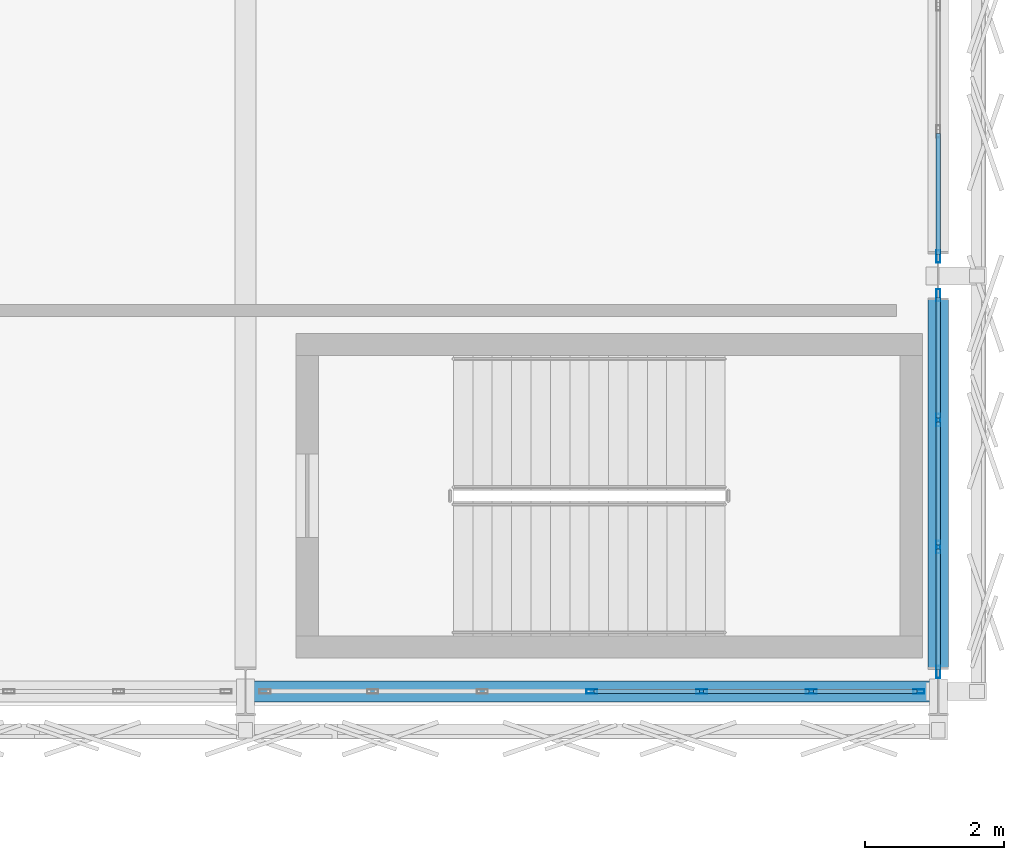
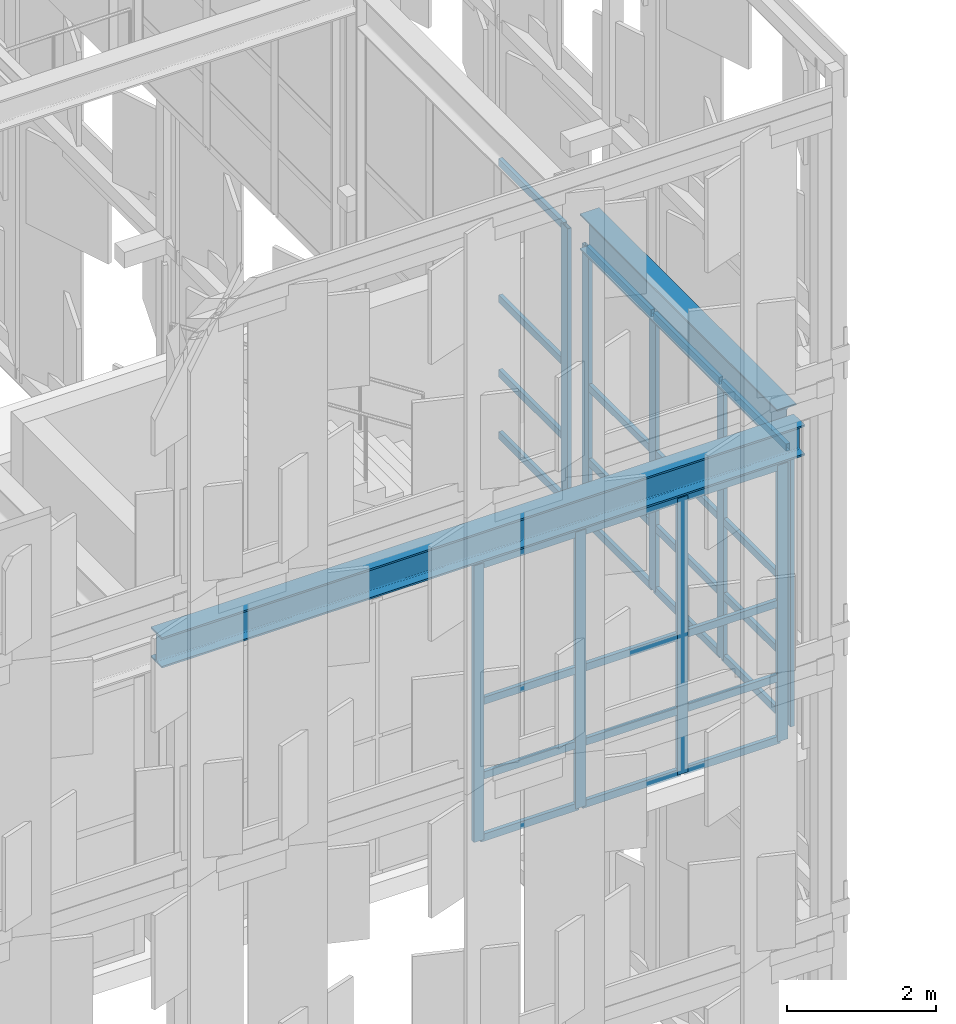
# One storey, part 163 of 239: 37 members, 2 beams, 3 elements without a shape of their own.
"""IFC4 building model written with IfcOpenShell, lengths in metres."""

from ifc_helpers import new_model, si_unit, direction, frame, origin, origin_2d, place, context, subcontext, project, spatial, hollow_rectangle, i_section, extrude, material, material_profile, profile_set, type_object, element, aggregate, save


model = new_model("IFC4")

# Units and contexts
model_context = context("Model", 3, precision=1e-05, world=origin(), true_north=direction((0.0, 1.0)))
body_context = subcontext(model_context, "Body", "Model", "MODEL_VIEW")
ifc_project = project(units=[si_unit("LENGTHUNIT", "METRE"), si_unit("AREAUNIT", "SQUARE_METRE"), si_unit("VOLUMEUNIT", "CUBIC_METRE"), si_unit("PLANEANGLEUNIT", "RADIAN"), si_unit("MASSUNIT", "GRAM", prefix="KILO")], contexts=[model_context])

# Site, building, storey
site_placement = place(None, origin())
site = spatial("IfcSite", under=ifc_project, at=site_placement, CompositionType="ELEMENT")
building_placement = place(site_placement, origin())
building = spatial("IfcBuilding", under=site, at=building_placement, Name="Kaldris Quays Convention Centre", CompositionType="ELEMENT")
storey_placement = place(building_placement, frame((0.0, 0.0, 11.39990234375)))
storey = spatial("IfcBuildingStorey", under=building, at=storey_placement, Name="L02", CompositionType="ELEMENT", Elevation=11.39990234375)

# Curtain wall, members
ifc_material_1 = material(Name="Anodized aluminium AW-6060 and triple glazing", Category="aluminium")
curtain_wall_type_1 = type_object("IfcCurtainWallType", Name="UNITISED CURTAIN WALL CW01", PredefinedType="NOTDEFINED", material=ifc_material_1)
curtain_wall_1_placement = place(storey_placement, origin())
curtain_wall_1 = element("IfcCurtainWall", 1, at=curtain_wall_1_placement, inside=storey, type_object=curtain_wall_type_1, Name="L02 Unitised Curtain Wall CW01 32", PredefinedType="NOTDEFINED")
ifc_material_2 = material(Name="Anodized aluminium AW-6060", Category="aluminium")
ifc_material_profile_1 = material_profile(ifc_material_2, hollow_rectangle(XDim=0.06005859375, YDim=0.159912109375, WallThickness=0.00390625, at=origin_2d()), Name="RHS 160x60x4")
ifc_profile_set_1 = profile_set([ifc_material_profile_1], Name="Anodized aluminium AW-6060")
member_type_1 = type_object("IfcMemberType", Name="CURTAIN MULLION CWM1", PredefinedType="MULLION", material=ifc_profile_set_1)
member_1_placement = place(storey_placement, frame((199.0, 56.0, 0.0), z_axis=(0.0, 0.0, 1.0), x_axis=(0.0, 1.0, 0.0)))
member_1 = element("IfcMember", 2, at=member_1_placement, type_object=member_type_1, Name="CW01 mullion 4", PredefinedType="MULLION", context=body_context, shape_type="SweptSolid", body=[
    extrude(hollow_rectangle(XDim=0.06005859375, YDim=0.159912109375, WallThickness=0.00390625, at=origin_2d()), origin(), (0.0, 0.0, 1.0), 4.548095703125),
])
member_2_placement = place(storey_placement, frame((200.583251953125, 56.0, 0.0), z_axis=(0.0, 0.0, 1.0), x_axis=(0.0, 1.0, 0.0)))
member_2 = element("IfcMember", 3, at=member_2_placement, type_object=member_type_1, Name="CW01 mullion 5", PredefinedType="MULLION", context=body_context, shape_type="SweptSolid", body=[
    extrude(hollow_rectangle(XDim=0.06005859375, YDim=0.159912109375, WallThickness=0.00390625, at=origin_2d()), origin(), (0.0, 0.0, 1.0), 4.548095703125),
])
member_3_placement = place(storey_placement, frame((202.166748046875, 56.0, 0.0), z_axis=(0.0, 0.0, 1.0), x_axis=(0.0, 1.0, 0.0)))
member_3 = element("IfcMember", 4, at=member_3_placement, type_object=member_type_1, Name="CW01 mullion 6", PredefinedType="MULLION", context=body_context, shape_type="SweptSolid", body=[
    extrude(hollow_rectangle(XDim=0.06005859375, YDim=0.159912109375, WallThickness=0.00390625, at=origin_2d()), origin(), (0.0, 0.0, 1.0), 4.548095703125),
])
member_4_placement = place(storey_placement, frame((203.719970703125, 56.0, 0.0), z_axis=(0.0, 0.0, 1.0), x_axis=(0.0, 1.0, 0.0)))
member_4 = element("IfcMember", 5, at=member_4_placement, type_object=member_type_1, Name="CW01 mullion 7", PredefinedType="MULLION", context=body_context, shape_type="SweptSolid", body=[
    extrude(hollow_rectangle(XDim=0.06005859375, YDim=0.159912109375, WallThickness=0.00390625, at=origin_2d()), origin(), (0.0, 0.0, 1.0), 4.548095703125),
])

curtain_wall_type_2 = type_object("IfcCurtainWallType", Name="UNITISED CURTAIN WALL CW02", PredefinedType="NOTDEFINED", material=ifc_material_1)
curtain_wall_2_placement = place(storey_placement, origin())
curtain_wall_2 = element("IfcCurtainWall", 6, at=curtain_wall_2_placement, inside=storey, type_object=curtain_wall_type_2, Name="L02 Unitised Curtain Wall CW02 33", PredefinedType="NOTDEFINED")
ifc_material_profile_2 = material_profile(ifc_material_2, hollow_rectangle(XDim=0.06005859375, YDim=0.179931640625, WallThickness=0.0048828125, at=origin_2d()), Name="RHS 180x60x5")
ifc_profile_set_2 = profile_set([ifc_material_profile_2], Name="Anodized aluminium AW-6060")
member_type_2 = type_object("IfcMemberType", Name="CURTAIN MULLION CWM2", PredefinedType="MULLION", material=ifc_profile_set_2)
member_5_placement = place(storey_placement, frame((204.0, 56.280029296875, 0.0), z_axis=(0.0, 0.0, 1.0), x_axis=(-1.0, 0.0, 0.0)))
member_5 = element("IfcMember", 7, at=member_5_placement, type_object=member_type_2, Name="CW02 mullion 1", PredefinedType="MULLION", context=body_context, shape_type="SweptSolid", body=[
    extrude(hollow_rectangle(XDim=0.06005859375, YDim=0.179931640625, WallThickness=0.0048828125, at=origin_2d()), origin(), (0.0, 0.0, 1.0), 4.548095703125),
])
member_6_placement = place(storey_placement, frame((204.0, 58.083251953125, 0.0), z_axis=(0.0, 0.0, 1.0), x_axis=(-1.0, 0.0, 0.0)))
member_6 = element("IfcMember", 8, at=member_6_placement, type_object=member_type_2, Name="CW02 mullion 2", PredefinedType="MULLION", context=body_context, shape_type="SweptSolid", body=[
    extrude(hollow_rectangle(XDim=0.06005859375, YDim=0.179931640625, WallThickness=0.0048828125, at=origin_2d()), origin(), (0.0, 0.0, 1.0), 4.548095703125),
])
member_7_placement = place(storey_placement, frame((204.0, 59.916748046875, 0.0), z_axis=(0.0, 0.0, 1.0), x_axis=(-1.0, 0.0, 0.0)))
member_7 = element("IfcMember", 9, at=member_7_placement, type_object=member_type_2, Name="CW02 mullion 3", PredefinedType="MULLION", context=body_context, shape_type="SweptSolid", body=[
    extrude(hollow_rectangle(XDim=0.06005859375, YDim=0.179931640625, WallThickness=0.0048828125, at=origin_2d()), origin(), (0.0, 0.0, 1.0), 4.548095703125),
])
member_8_placement = place(storey_placement, frame((204.0, 61.719970703125, 0.0), z_axis=(0.0, 0.0, 1.0), x_axis=(-1.0, 0.0, 0.0)))
member_8 = element("IfcMember", 10, at=member_8_placement, type_object=member_type_2, Name="CW02 mullion 4", PredefinedType="MULLION", context=body_context, shape_type="SweptSolid", body=[
    extrude(hollow_rectangle(XDim=0.06005859375, YDim=0.179931640625, WallThickness=0.0048828125, at=origin_2d()), origin(), (0.0, 0.0, 1.0), 4.548095703125),
])

# Curtain wall, member
curtain_wall_3_placement = place(storey_placement, origin())
curtain_wall_3 = element("IfcCurtainWall", 11, at=curtain_wall_3_placement, inside=storey, type_object=curtain_wall_type_2, Name="L02 Unitised Curtain Wall CW02 34", PredefinedType="NOTDEFINED")
member_9_placement = place(storey_placement, frame((204.0, 62.280029296875, 0.0), z_axis=(0.0, 0.0, 1.0), x_axis=(-1.0, 0.0, 0.0)))
member_9 = element("IfcMember", 12, at=member_9_placement, type_object=member_type_2, Name="CW02 mullion 1", PredefinedType="MULLION", context=body_context, shape_type="SweptSolid", body=[
    extrude(hollow_rectangle(XDim=0.06005859375, YDim=0.179931640625, WallThickness=0.0048828125, at=origin_2d()), origin(), (0.0, 0.0, 1.0), 4.548095703125),
])

# Member
ifc_material_profile_3 = material_profile(ifc_material_2, hollow_rectangle(XDim=0.06005859375, YDim=0.1201171875, WallThickness=0.00390625, at=origin_2d()), Name="RHS 120x60x4")
ifc_profile_set_3 = profile_set([ifc_material_profile_3], Name="Anodized aluminium AW-6060")
member_type_3 = type_object("IfcMemberType", Name="CURTAIN TRANSOM CWT1", PredefinedType="USERDEFINED", material=ifc_profile_set_3)
member_10_placement = place(storey_placement, frame((199.030029296875, 56.0, 0.030029296875), z_axis=(1.0, 0.0, 0.0), x_axis=(0.0, 1.0, 0.0)))
member_10 = element("IfcMember", 13, at=member_10_placement, type_object=member_type_3, Name="CW01 transom 4.1", ObjectType="TRANSOM", PredefinedType="USERDEFINED", context=body_context, shape_type="SweptSolid", body=[
    extrude(hollow_rectangle(XDim=0.06005859375, YDim=0.1201171875, WallThickness=0.00390625, at=origin_2d()), origin(), (0.0, 0.0, 1.0), 1.523193359375),
])

member_11_placement = place(storey_placement, frame((199.030029296875, 56.0, 1.050048828125), z_axis=(1.0, 0.0, 0.0), x_axis=(0.0, 1.0, 0.0)))
member_11 = element("IfcMember", 14, at=member_11_placement, type_object=member_type_3, Name="CW01 transom 4.2", ObjectType="TRANSOM", PredefinedType="USERDEFINED", context=body_context, shape_type="SweptSolid", body=[
    extrude(hollow_rectangle(XDim=0.06005859375, YDim=0.1201171875, WallThickness=0.00390625, at=origin_2d()), origin(), (0.0, 0.0, 1.0), 1.523193359375),
])

member_12_placement = place(storey_placement, frame((199.030029296875, 56.0, 2.274169921875), z_axis=(1.0, 0.0, 0.0), x_axis=(0.0, 1.0, 0.0)))
member_12 = element("IfcMember", 15, at=member_12_placement, type_object=member_type_3, Name="CW01 transom 4.3", ObjectType="TRANSOM", PredefinedType="USERDEFINED", context=body_context, shape_type="SweptSolid", body=[
    extrude(hollow_rectangle(XDim=0.06005859375, YDim=0.1201171875, WallThickness=0.00390625, at=origin_2d()), origin(), (0.0, 0.0, 1.0), 1.523193359375),
])

member_13_placement = place(storey_placement, frame((199.030029296875, 56.0, 4.51806640625), z_axis=(1.0, 0.0, 0.0), x_axis=(0.0, 1.0, 0.0)))
member_13 = element("IfcMember", 16, at=member_13_placement, type_object=member_type_3, Name="CW01 transom 4.4", ObjectType="TRANSOM", PredefinedType="USERDEFINED", context=body_context, shape_type="SweptSolid", body=[
    extrude(hollow_rectangle(XDim=0.06005859375, YDim=0.1201171875, WallThickness=0.00390625, at=origin_2d()), origin(), (0.0, 0.0, 1.0), 1.523193359375),
])

member_14_placement = place(storey_placement, frame((200.61328125, 56.0, 0.030029296875), z_axis=(1.0, 0.0, 0.0), x_axis=(0.0, 1.0, 0.0)))
member_14 = element("IfcMember", 17, at=member_14_placement, type_object=member_type_3, Name="CW01 transom 5.1", ObjectType="TRANSOM", PredefinedType="USERDEFINED", context=body_context, shape_type="SweptSolid", body=[
    extrude(hollow_rectangle(XDim=0.06005859375, YDim=0.1201171875, WallThickness=0.00390625, at=origin_2d()), origin(), (0.0, 0.0, 1.0), 1.5234375),
])

member_15_placement = place(storey_placement, frame((200.61328125, 56.0, 1.050048828125), z_axis=(1.0, 0.0, 0.0), x_axis=(0.0, 1.0, 0.0)))
member_15 = element("IfcMember", 18, at=member_15_placement, type_object=member_type_3, Name="CW01 transom 5.2", ObjectType="TRANSOM", PredefinedType="USERDEFINED", context=body_context, shape_type="SweptSolid", body=[
    extrude(hollow_rectangle(XDim=0.06005859375, YDim=0.1201171875, WallThickness=0.00390625, at=origin_2d()), origin(), (0.0, 0.0, 1.0), 1.5234375),
])

member_16_placement = place(storey_placement, frame((200.61328125, 56.0, 2.274169921875), z_axis=(1.0, 0.0, 0.0), x_axis=(0.0, 1.0, 0.0)))
member_16 = element("IfcMember", 19, at=member_16_placement, type_object=member_type_3, Name="CW01 transom 5.3", ObjectType="TRANSOM", PredefinedType="USERDEFINED", context=body_context, shape_type="SweptSolid", body=[
    extrude(hollow_rectangle(XDim=0.06005859375, YDim=0.1201171875, WallThickness=0.00390625, at=origin_2d()), origin(), (0.0, 0.0, 1.0), 1.5234375),
])

member_17_placement = place(storey_placement, frame((200.61328125, 56.0, 4.51806640625), z_axis=(1.0, 0.0, 0.0), x_axis=(0.0, 1.0, 0.0)))
member_17 = element("IfcMember", 20, at=member_17_placement, type_object=member_type_3, Name="CW01 transom 5.4", ObjectType="TRANSOM", PredefinedType="USERDEFINED", context=body_context, shape_type="SweptSolid", body=[
    extrude(hollow_rectangle(XDim=0.06005859375, YDim=0.1201171875, WallThickness=0.00390625, at=origin_2d()), origin(), (0.0, 0.0, 1.0), 1.5234375),
])

member_18_placement = place(storey_placement, frame((202.19677734375, 56.0, 0.030029296875), z_axis=(1.0, 0.0, 0.0), x_axis=(0.0, 1.0, 0.0)))
member_18 = element("IfcMember", 21, at=member_18_placement, type_object=member_type_3, Name="CW01 transom 6.1", ObjectType="TRANSOM", PredefinedType="USERDEFINED", context=body_context, shape_type="SweptSolid", body=[
    extrude(hollow_rectangle(XDim=0.06005859375, YDim=0.1201171875, WallThickness=0.00390625, at=origin_2d()), origin(), (0.0, 0.0, 1.0), 1.4931640625),
])

member_19_placement = place(storey_placement, frame((202.19677734375, 56.0, 1.050048828125), z_axis=(1.0, 0.0, 0.0), x_axis=(0.0, 1.0, 0.0)))
member_19 = element("IfcMember", 22, at=member_19_placement, type_object=member_type_3, Name="CW01 transom 6.2", ObjectType="TRANSOM", PredefinedType="USERDEFINED", context=body_context, shape_type="SweptSolid", body=[
    extrude(hollow_rectangle(XDim=0.06005859375, YDim=0.1201171875, WallThickness=0.00390625, at=origin_2d()), origin(), (0.0, 0.0, 1.0), 1.4931640625),
])

member_20_placement = place(storey_placement, frame((202.19677734375, 56.0, 2.274169921875), z_axis=(1.0, 0.0, 0.0), x_axis=(0.0, 1.0, 0.0)))
member_20 = element("IfcMember", 23, at=member_20_placement, type_object=member_type_3, Name="CW01 transom 6.3", ObjectType="TRANSOM", PredefinedType="USERDEFINED", context=body_context, shape_type="SweptSolid", body=[
    extrude(hollow_rectangle(XDim=0.06005859375, YDim=0.1201171875, WallThickness=0.00390625, at=origin_2d()), origin(), (0.0, 0.0, 1.0), 1.4931640625),
])

member_21_placement = place(storey_placement, frame((202.19677734375, 56.0, 4.51806640625), z_axis=(1.0, 0.0, 0.0), x_axis=(0.0, 1.0, 0.0)))
member_21 = element("IfcMember", 24, at=member_21_placement, type_object=member_type_3, Name="CW01 transom 6.4", ObjectType="TRANSOM", PredefinedType="USERDEFINED", context=body_context, shape_type="SweptSolid", body=[
    extrude(hollow_rectangle(XDim=0.06005859375, YDim=0.1201171875, WallThickness=0.00390625, at=origin_2d()), origin(), (0.0, 0.0, 1.0), 1.4931640625),
])

aggregate(curtain_wall_1, [member_1, member_2, member_3, member_4, member_10, member_11, member_12, member_13, member_14, member_15, member_16, member_17, member_18, member_19, member_20, member_21])

member_22_placement = place(storey_placement, frame((204.0, 56.31005859375, 0.030029296875), z_axis=(0.0, 1.0, 0.0), x_axis=(-1.0, 0.0, 0.0)))
member_22 = element("IfcMember", 25, at=member_22_placement, type_object=member_type_3, Name="CW02 transom 1.1", ObjectType="TRANSOM", PredefinedType="USERDEFINED", context=body_context, shape_type="SweptSolid", body=[
    extrude(hollow_rectangle(XDim=0.06005859375, YDim=0.1201171875, WallThickness=0.00390625, at=origin_2d()), origin(), (0.0, 0.0, 1.0), 1.7431640625),
])

member_23_placement = place(storey_placement, frame((204.0, 56.31005859375, 1.050048828125), z_axis=(0.0, 1.0, 0.0), x_axis=(-1.0, 0.0, 0.0)))
member_23 = element("IfcMember", 26, at=member_23_placement, type_object=member_type_3, Name="CW02 transom 1.2", ObjectType="TRANSOM", PredefinedType="USERDEFINED", context=body_context, shape_type="SweptSolid", body=[
    extrude(hollow_rectangle(XDim=0.06005859375, YDim=0.1201171875, WallThickness=0.00390625, at=origin_2d()), origin(), (0.0, 0.0, 1.0), 1.7431640625),
])

member_24_placement = place(storey_placement, frame((204.0, 56.31005859375, 2.274169921875), z_axis=(0.0, 1.0, 0.0), x_axis=(-1.0, 0.0, 0.0)))
member_24 = element("IfcMember", 27, at=member_24_placement, type_object=member_type_3, Name="CW02 transom 1.3", ObjectType="TRANSOM", PredefinedType="USERDEFINED", context=body_context, shape_type="SweptSolid", body=[
    extrude(hollow_rectangle(XDim=0.06005859375, YDim=0.1201171875, WallThickness=0.00390625, at=origin_2d()), origin(), (0.0, 0.0, 1.0), 1.7431640625),
])

member_25_placement = place(storey_placement, frame((204.0, 56.31005859375, 4.51806640625), z_axis=(0.0, 1.0, 0.0), x_axis=(-1.0, 0.0, 0.0)))
member_25 = element("IfcMember", 28, at=member_25_placement, type_object=member_type_3, Name="CW02 transom 1.4", ObjectType="TRANSOM", PredefinedType="USERDEFINED", context=body_context, shape_type="SweptSolid", body=[
    extrude(hollow_rectangle(XDim=0.06005859375, YDim=0.1201171875, WallThickness=0.00390625, at=origin_2d()), origin(), (0.0, 0.0, 1.0), 1.7431640625),
])

member_26_placement = place(storey_placement, frame((204.0, 58.11328125, 0.030029296875), z_axis=(0.0, 1.0, 0.0), x_axis=(-1.0, 0.0, 0.0)))
member_26 = element("IfcMember", 29, at=member_26_placement, type_object=member_type_3, Name="CW02 transom 2.1", ObjectType="TRANSOM", PredefinedType="USERDEFINED", context=body_context, shape_type="SweptSolid", body=[
    extrude(hollow_rectangle(XDim=0.06005859375, YDim=0.1201171875, WallThickness=0.00390625, at=origin_2d()), origin(), (0.0, 0.0, 1.0), 1.7734375),
])

member_27_placement = place(storey_placement, frame((204.0, 58.11328125, 1.050048828125), z_axis=(0.0, 1.0, 0.0), x_axis=(-1.0, 0.0, 0.0)))
member_27 = element("IfcMember", 30, at=member_27_placement, type_object=member_type_3, Name="CW02 transom 2.2", ObjectType="TRANSOM", PredefinedType="USERDEFINED", context=body_context, shape_type="SweptSolid", body=[
    extrude(hollow_rectangle(XDim=0.06005859375, YDim=0.1201171875, WallThickness=0.00390625, at=origin_2d()), origin(), (0.0, 0.0, 1.0), 1.7734375),
])

member_28_placement = place(storey_placement, frame((204.0, 58.11328125, 2.274169921875), z_axis=(0.0, 1.0, 0.0), x_axis=(-1.0, 0.0, 0.0)))
member_28 = element("IfcMember", 31, at=member_28_placement, type_object=member_type_3, Name="CW02 transom 2.3", ObjectType="TRANSOM", PredefinedType="USERDEFINED", context=body_context, shape_type="SweptSolid", body=[
    extrude(hollow_rectangle(XDim=0.06005859375, YDim=0.1201171875, WallThickness=0.00390625, at=origin_2d()), origin(), (0.0, 0.0, 1.0), 1.7734375),
])

member_29_placement = place(storey_placement, frame((204.0, 58.11328125, 4.51806640625), z_axis=(0.0, 1.0, 0.0), x_axis=(-1.0, 0.0, 0.0)))
member_29 = element("IfcMember", 32, at=member_29_placement, type_object=member_type_3, Name="CW02 transom 2.4", ObjectType="TRANSOM", PredefinedType="USERDEFINED", context=body_context, shape_type="SweptSolid", body=[
    extrude(hollow_rectangle(XDim=0.06005859375, YDim=0.1201171875, WallThickness=0.00390625, at=origin_2d()), origin(), (0.0, 0.0, 1.0), 1.7734375),
])

member_30_placement = place(storey_placement, frame((204.0, 59.94677734375, 0.030029296875), z_axis=(0.0, 1.0, 0.0), x_axis=(-1.0, 0.0, 0.0)))
member_30 = element("IfcMember", 33, at=member_30_placement, type_object=member_type_3, Name="CW02 transom 3.1", ObjectType="TRANSOM", PredefinedType="USERDEFINED", context=body_context, shape_type="SweptSolid", body=[
    extrude(hollow_rectangle(XDim=0.06005859375, YDim=0.1201171875, WallThickness=0.00390625, at=origin_2d()), origin(), (0.0, 0.0, 1.0), 1.7431640625),
])

member_31_placement = place(storey_placement, frame((204.0, 59.94677734375, 1.050048828125), z_axis=(0.0, 1.0, 0.0), x_axis=(-1.0, 0.0, 0.0)))
member_31 = element("IfcMember", 34, at=member_31_placement, type_object=member_type_3, Name="CW02 transom 3.2", ObjectType="TRANSOM", PredefinedType="USERDEFINED", context=body_context, shape_type="SweptSolid", body=[
    extrude(hollow_rectangle(XDim=0.06005859375, YDim=0.1201171875, WallThickness=0.00390625, at=origin_2d()), origin(), (0.0, 0.0, 1.0), 1.7431640625),
])

member_32_placement = place(storey_placement, frame((204.0, 59.94677734375, 2.274169921875), z_axis=(0.0, 1.0, 0.0), x_axis=(-1.0, 0.0, 0.0)))
member_32 = element("IfcMember", 35, at=member_32_placement, type_object=member_type_3, Name="CW02 transom 3.3", ObjectType="TRANSOM", PredefinedType="USERDEFINED", context=body_context, shape_type="SweptSolid", body=[
    extrude(hollow_rectangle(XDim=0.06005859375, YDim=0.1201171875, WallThickness=0.00390625, at=origin_2d()), origin(), (0.0, 0.0, 1.0), 1.7431640625),
])

member_33_placement = place(storey_placement, frame((204.0, 59.94677734375, 4.51806640625), z_axis=(0.0, 1.0, 0.0), x_axis=(-1.0, 0.0, 0.0)))
member_33 = element("IfcMember", 36, at=member_33_placement, type_object=member_type_3, Name="CW02 transom 3.4", ObjectType="TRANSOM", PredefinedType="USERDEFINED", context=body_context, shape_type="SweptSolid", body=[
    extrude(hollow_rectangle(XDim=0.06005859375, YDim=0.1201171875, WallThickness=0.00390625, at=origin_2d()), origin(), (0.0, 0.0, 1.0), 1.7431640625),
])

aggregate(curtain_wall_2, [member_5, member_6, member_7, member_8, member_22, member_23, member_24, member_25, member_26, member_27, member_28, member_29, member_30, member_31, member_32, member_33])

member_34_placement = place(storey_placement, frame((204.0, 62.31005859375, 0.030029296875), z_axis=(0.0, 1.0, 0.0), x_axis=(-1.0, 0.0, 0.0)))
member_34 = element("IfcMember", 37, at=member_34_placement, type_object=member_type_3, Name="CW02 transom 1.1", ObjectType="TRANSOM", PredefinedType="USERDEFINED", context=body_context, shape_type="SweptSolid", body=[
    extrude(hollow_rectangle(XDim=0.06005859375, YDim=0.1201171875, WallThickness=0.00390625, at=origin_2d()), origin(), (0.0, 0.0, 1.0), 1.7431640625),
])

member_35_placement = place(storey_placement, frame((204.0, 62.31005859375, 1.050048828125), z_axis=(0.0, 1.0, 0.0), x_axis=(-1.0, 0.0, 0.0)))
member_35 = element("IfcMember", 38, at=member_35_placement, type_object=member_type_3, Name="CW02 transom 1.2", ObjectType="TRANSOM", PredefinedType="USERDEFINED", context=body_context, shape_type="SweptSolid", body=[
    extrude(hollow_rectangle(XDim=0.06005859375, YDim=0.1201171875, WallThickness=0.00390625, at=origin_2d()), origin(), (0.0, 0.0, 1.0), 1.7431640625),
])

member_36_placement = place(storey_placement, frame((204.0, 62.31005859375, 2.274169921875), z_axis=(0.0, 1.0, 0.0), x_axis=(-1.0, 0.0, 0.0)))
member_36 = element("IfcMember", 39, at=member_36_placement, type_object=member_type_3, Name="CW02 transom 1.3", ObjectType="TRANSOM", PredefinedType="USERDEFINED", context=body_context, shape_type="SweptSolid", body=[
    extrude(hollow_rectangle(XDim=0.06005859375, YDim=0.1201171875, WallThickness=0.00390625, at=origin_2d()), origin(), (0.0, 0.0, 1.0), 1.7431640625),
])

member_37_placement = place(storey_placement, frame((204.0, 62.31005859375, 4.51806640625), z_axis=(0.0, 1.0, 0.0), x_axis=(-1.0, 0.0, 0.0)))
member_37 = element("IfcMember", 40, at=member_37_placement, type_object=member_type_3, Name="CW02 transom 1.4", ObjectType="TRANSOM", PredefinedType="USERDEFINED", context=body_context, shape_type="SweptSolid", body=[
    extrude(hollow_rectangle(XDim=0.06005859375, YDim=0.1201171875, WallThickness=0.00390625, at=origin_2d()), origin(), (0.0, 0.0, 1.0), 1.7431640625),
])

aggregate(curtain_wall_3, [member_9, member_34, member_35, member_36, member_37])

# Beams
ifc_material_3 = material(Name="Steel S355J2", Category="steel")
ifc_material_profile_4 = material_profile(ifc_material_3, i_section(OverallWidth=0.300048828125, OverallDepth=0.5, WebThickness=0.014404296875, FlangeThickness=0.028076171875, FilletRadius=0.027099609375, at=origin_2d()), Name="HEB 500")
ifc_profile_set_4 = profile_set([ifc_material_profile_4], Name="Steel S355J2")
beam_type_1 = type_object("IfcBeamType", Name="STRUCTURAL BEAM BM06", PredefinedType="BEAM", material=ifc_profile_set_4)
beam_1_placement = place(storey_placement, frame((194.00244140625, 56.0, 4.9130859375), z_axis=(1.0, 0.0, 0.0), x_axis=(0.0, 1.0, 0.0)))
element("IfcBeam", 41, at=beam_1_placement, inside=storey, type_object=beam_type_1, Name="L02 Girder BM06 4", PredefinedType="BEAM", context=body_context, shape_type="SweptSolid", body=[
    extrude(i_section(OverallWidth=0.300048828125, OverallDepth=0.5, WebThickness=0.014404296875, FlangeThickness=0.028076171875, FilletRadius=0.027099609375, at=origin_2d()), origin(), (0.0, 0.0, 1.0), 9.9951171875),
])
ifc_material_profile_5 = material_profile(ifc_material_3, i_section(OverallWidth=0.300048828125, OverallDepth=0.590087890625, WebThickness=0.012939453125, FlangeThickness=0.02490234375, FilletRadius=0.027099609375, at=origin_2d()), Name="HEA 600")
ifc_profile_set_5 = profile_set([ifc_material_profile_5], Name="Steel S355J2")
beam_type_2 = type_object("IfcBeamType", Name="STRUCTURAL BEAM BM08", PredefinedType="BEAM", material=ifc_profile_set_5)
beam_2_placement = place(storey_placement, frame((204.0, 56.343994140625, 4.8681640625), z_axis=(0.0, 1.0, 0.0), x_axis=(-1.0, 0.0, 0.0)))
element("IfcBeam", 42, at=beam_2_placement, inside=storey, type_object=beam_type_2, Name="L02 Girder BM08 22", PredefinedType="BEAM", context=body_context, shape_type="SweptSolid", body=[
    extrude(i_section(OverallWidth=0.300048828125, OverallDepth=0.590087890625, WebThickness=0.012939453125, FlangeThickness=0.02490234375, FilletRadius=0.027099609375, at=origin_2d()), origin(), (0.0, 0.0, 1.0), 5.31201171875),
])

save(model, "model.ifc")
